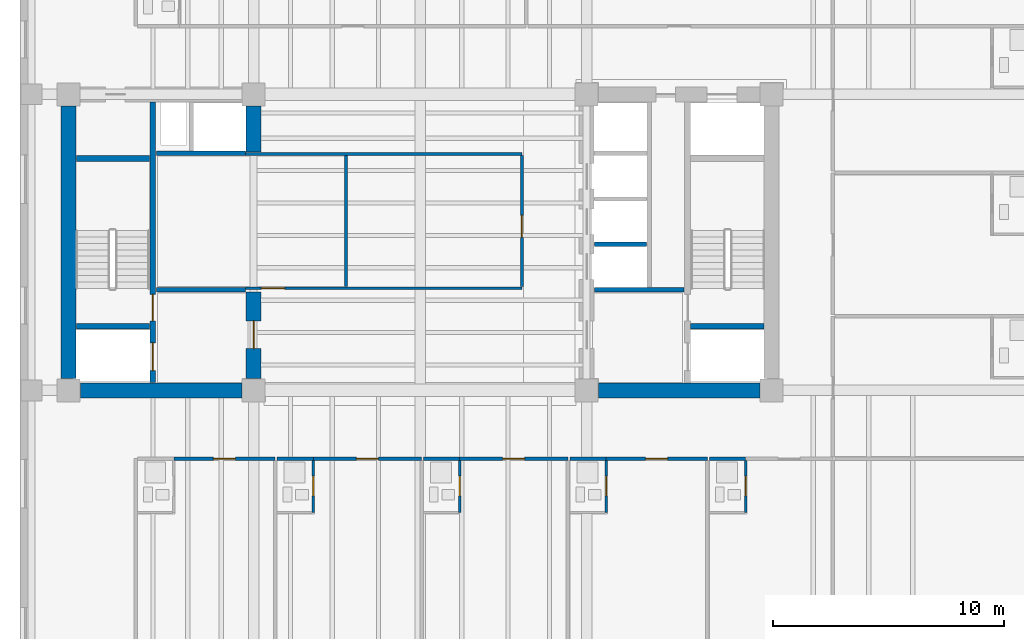
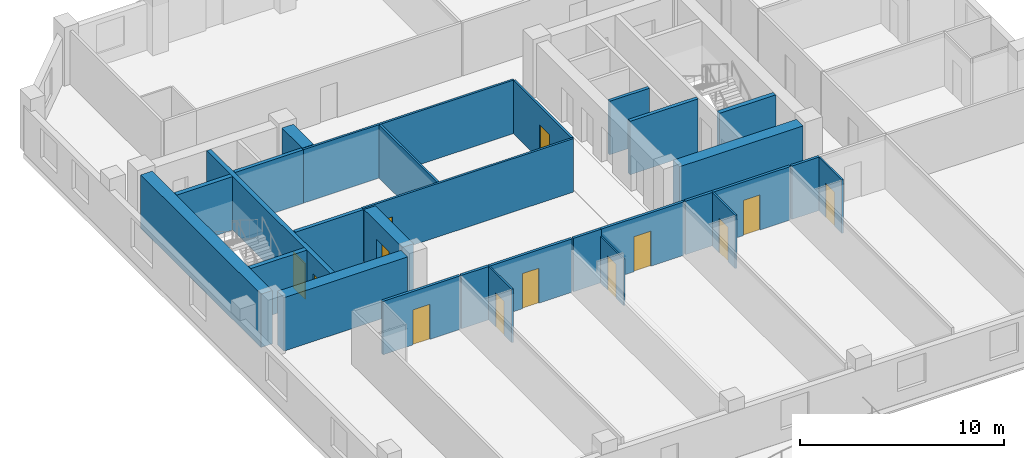
# One storey, part 3 of 10: 29 walls, 13 doors, 13 openings.
"""IFC4 building model written with IfcOpenShell, lengths in metres."""

from ifc_helpers import new_model, si_unit, direction, frame, frame_2d, origin, place, context, subcontext, project, spatial, rectangle, extrude, material, layer, layer_set, type_object, element, fill, save


model = new_model("IFC4")

# Units and contexts
model_context = context("Model", 3, precision=1e-05, world=origin(), true_north=direction((0.0, 1.0)))
body_context = subcontext(model_context, "Body", "Model", "MODEL_VIEW")
ifc_project = project(units=[si_unit("LENGTHUNIT", "METRE"), si_unit("AREAUNIT", "SQUARE_METRE"), si_unit("VOLUMEUNIT", "CUBIC_METRE"), si_unit("PLANEANGLEUNIT", "RADIAN"), si_unit("MASSUNIT", "GRAM", prefix="KILO")], contexts=[model_context])

# Site, building, storey
site_placement = place(None, origin())
site = spatial("IfcSite", under=ifc_project, at=site_placement, CompositionType="ELEMENT")
building_placement = place(site_placement, origin())
building = spatial("IfcBuilding", under=site, at=building_placement, Name="Kranthara Brick Stack", CompositionType="ELEMENT")
storey_placement = place(building_placement, frame((0.0, 0.0, 155.300048828125)))
storey = spatial("IfcBuildingStorey", under=building, at=storey_placement, Name="L39", CompositionType="ELEMENT", Elevation=155.300048828125)

# Wall, openings, doors
ifc_material_1 = material(Name="Concrete C50/60", Category="concrete")
ifc_layer_1 = layer(ifc_material_1, 0.25)
ifc_layer_set_1 = layer_set([ifc_layer_1], Name="Concrete C50/60")
wall_type_1 = type_object("IfcWallType", Name="WL-CORE-250", PredefinedType="SHEAR", material=ifc_layer_set_1)
wall_1_placement = place(storey_placement, frame((16.43505859375, 21.135009765625, 0.0), z_axis=(0.0, 0.0, 1.0), x_axis=(0.0, 1.0, 0.0)))
wall_1 = element("IfcWall", 1, at=wall_1_placement, inside=storey, type_object=wall_type_1, Name="L39 West Core Stair Bearing Spine Wall", PredefinedType="SHEAR", context=body_context, shape_type="SweptSolid", body=[
    extrude(rectangle(XDim=12.1298828125, YDim=0.25, at=frame_2d((6.06494140625, 0.0))), origin(), (0.0, 0.0, 1.0), 3.199951171875),
])
opening_1_placement = place(wall_1_placement, frame((0.514892578125, 0.0, 0.0)))
opening_1 = element("IfcOpeningElement", 2, at=opening_1_placement, cuts=wall_1, Name="Opening LD01", PredefinedType="OPENING", context=body_context, shape_type="SweptSolid", body=[
    extrude(rectangle(XDim=1.199951171875, YDim=2.14990234375, at=frame_2d((0.60009765625, 1.074951171875))), frame((0.0, 0.135009765625, 0.0), z_axis=(0.0, -1.0, 0.0), x_axis=(1.0, 0.0, 0.0)), (0.0, 0.0, 1.0), 0.27001953125),
])
opening_2_placement = place(wall_1_placement, frame((2.6650390625, 0.0, 0.0)))
opening_2 = element("IfcOpeningElement", 3, at=opening_2_placement, cuts=wall_1, Name="Opening D05", PredefinedType="OPENING", context=body_context, shape_type="SweptSolid", body=[
    extrude(rectangle(XDim=1.14990234375, YDim=2.14990234375, at=frame_2d((0.574951171875, 1.074951171875))), frame((0.0, 0.135009765625, 0.0), z_axis=(0.0, -1.0, 0.0), x_axis=(1.0, 0.0, 0.0)), (0.0, 0.0, 1.0), 0.27001953125),
])
ifc_material_2 = material(Name="Stainless steel sliding landing door", Category="steel")
door_type_1 = type_object("IfcDoorType", Name="DR-LD-FF1200", OperationType="DOUBLE_DOOR_SLIDING", PredefinedType="DOOR", material=ifc_material_2)
door_1_placement = place(opening_1_placement, origin())
door_1 = element("IfcDoor", 4, at=door_1_placement, inside=storey, type_object=door_type_1, Name="L39 Firefighting Lift FF-01 Landing Door", OperationType="DOUBLE_DOOR_SLIDING", OverallHeight=2.14990234375, OverallWidth=1.199951171875, PredefinedType="DOOR", context=body_context, shape_type="SweptSolid", body=[
    extrude(rectangle(XDim=1.199951171875, YDim=2.14990234375, at=frame_2d((0.60009765625, 1.074951171875))), frame((0.0, 0.02490234375, 0.0), z_axis=(0.0, -1.0, 0.0), x_axis=(1.0, 0.0, 0.0)), (0.0, 0.0, 1.0), 0.050048828125),
])
fill(opening_1, door_1)
ifc_material_3 = material(Name="Solid-core hardwood timber leaf in steel frame", Category="steel")
door_type_2 = type_object("IfcDoorType", Name="DR-ST-1150", OperationType="NOTDEFINED", PredefinedType="DOOR", material=ifc_material_3)
door_2_placement = place(opening_2_placement, origin())
door_2 = element("IfcDoor", 5, at=door_2_placement, inside=storey, type_object=door_type_2, Name="L39 Exit Stair ST01 Door", OperationType="SINGLE_SWING_RIGHT", OverallHeight=2.14990234375, OverallWidth=1.14990234375, PredefinedType="DOOR", context=body_context, shape_type="SweptSolid", body=[
    extrude(rectangle(XDim=1.14990234375, YDim=2.14990234375, at=frame_2d((0.574951171875, 1.074951171875))), frame((0.0, 0.02490234375, 0.0), z_axis=(0.0, -1.0, 0.0), x_axis=(1.0, 0.0, 0.0)), (0.0, 0.0, 1.0), 0.050048828125),
])
fill(opening_2, door_2)

# Walls
for number, where, z_axis, x_axis, name in (
    (6, (13.135009765625, 23.570068359375, 0.0), (0.0, 0.0, 1.0), (1.0, 0.0, 0.0), "L39 West Stairwell Bearing Wall WFF"),
    (7, (13.135009765625, 30.830078125, 0.0), (0.0, 0.0, 1.0), (1.0, 0.0, 0.0), "L39 West Stairwell Bearing Wall WST"),
    (8, (39.68994140625, 23.570068359375, 0.0), (0.0, 0.0, 1.0), (1.0, 0.0, 0.0), "L39 East Stairwell Bearing Wall EFF"),
):
    element("IfcWall", number, at=place(storey_placement, frame(where, z_axis=z_axis, x_axis=x_axis)), inside=storey, type_object=wall_type_1, Name=name, PredefinedType="SHEAR", context=body_context, shape_type="SweptSolid", body=[
        extrude(rectangle(XDim=3.175048828125, YDim=0.25, at=frame_2d((1.58740234375, 0.0))), origin(), (0.0, 0.0, 1.0), 3.199951171875),
    ])
ifc_material_4 = material(Name="Concrete C60/75", Category="concrete")
ifc_layer_2 = layer(ifc_material_4, 0.64990234375)
ifc_layer_set_2 = layer_set([ifc_layer_2], Name="Concrete C60/75")
wall_type_2 = type_object("IfcWallType", Name="WL-CORE-650", PredefinedType="SHEAR", material=ifc_layer_set_2)
wall_2_placement = place(storey_placement, frame((12.800048828125, 21.304931640625, 0.0), z_axis=(0.0, 0.0, 1.0), x_axis=(0.0, 1.0, 0.0)))
element("IfcWall", 9, at=wall_2_placement, inside=storey, type_object=wall_type_2, Name="L39 West Core Shear Wall West", PredefinedType="SHEAR", context=body_context, shape_type="SweptSolid", body=[
    extrude(rectangle(XDim=11.7900390625, YDim=0.64990234375, at=frame_2d((5.89501953125, 0.0))), origin(), (0.0, 0.0, 1.0), 3.199951171875),
])
wall_3_placement = place(storey_placement, frame((13.304931640625, 20.800048828125, 0.0), z_axis=(0.0, 0.0, 1.0), x_axis=(1.0, 0.0, 0.0)))
element("IfcWall", 10, at=wall_3_placement, inside=storey, type_object=wall_type_2, Name="L39 West Core Shear Wall South", PredefinedType="SHEAR", context=body_context, shape_type="SweptSolid", body=[
    extrude(rectangle(XDim=6.989990234375, YDim=0.64990234375, at=frame_2d((3.4951171875, 0.0))), origin(), (0.0, 0.0, 1.0), 3.199951171875),
])

# Wall, opening, door
wall_4_placement = place(storey_placement, frame((20.800048828125, 21.304931640625, 0.0), z_axis=(0.0, 0.0, 1.0), x_axis=(0.0, 1.0, 0.0)))
wall_4 = element("IfcWall", 11, at=wall_4_placement, inside=storey, type_object=wall_type_2, Name="L39 West Core Lobby Shear Wall", PredefinedType="SHEAR", context=body_context, shape_type="SweptSolid", body=[
    extrude(rectangle(XDim=3.7451171875, YDim=0.64990234375, at=frame_2d((1.87255859375, 0.0))), origin(), (0.0, 0.0, 1.0), 3.199951171875),
])
opening_3_placement = place(wall_4_placement, frame((1.294921875, 0.0, 0.0)))
opening_3 = element("IfcOpeningElement", 12, at=opening_3_placement, cuts=wall_4, Name="Opening D06", PredefinedType="OPENING", context=body_context, shape_type="SweptSolid", body=[
    extrude(rectangle(XDim=1.199951171875, YDim=2.14990234375, at=frame_2d((0.60009765625, 1.074951171875))), frame((0.0, 0.3349609375, 0.0), z_axis=(0.0, -1.0, 0.0), x_axis=(1.0, 0.0, 0.0)), (0.0, 0.0, 1.0), 0.669921875),
])
ifc_material_5 = material(Name="Solid-core hardwood timber leaf in steel frame", Category="steel")
door_type_3 = type_object("IfcDoorType", Name="DR-FFL-1200", OperationType="NOTDEFINED", PredefinedType="DOOR", material=ifc_material_5)
door_3_placement = place(opening_3_placement, origin())
door_3 = element("IfcDoor", 13, at=door_3_placement, inside=storey, type_object=door_type_3, Name="L39 West Firefighting Lobby Door", OperationType="SINGLE_SWING_LEFT", OverallHeight=2.14990234375, OverallWidth=1.199951171875, PredefinedType="DOOR", context=body_context, shape_type="SweptSolid", body=[
    extrude(rectangle(XDim=1.199951171875, YDim=2.14990234375, at=frame_2d((0.60009765625, 1.074951171875))), frame((0.0, 0.02490234375, 0.0), z_axis=(0.0, -1.0, 0.0), x_axis=(1.0, 0.0, 0.0)), (0.0, 0.0, 1.0), 0.050048828125),
])
fill(opening_3, door_3)

# Walls
wall_5_placement = place(storey_placement, frame((20.800048828125, 31.10009765625, 0.0), z_axis=(0.0, 0.0, 1.0), x_axis=(0.0, 1.0, 0.0)))
element("IfcWall", 14, at=wall_5_placement, inside=storey, type_object=wall_type_2, Name="L39 West Core High-Rise Lift Wall", PredefinedType="SHEAR", context=body_context, shape_type="SweptSolid", body=[
    extrude(rectangle(XDim=1.994873046875, YDim=0.64990234375, at=frame_2d((0.99755859375, 0.0))), origin(), (0.0, 0.0, 1.0), 3.199951171875),
])
wall_6_placement = place(storey_placement, frame((35.705078125, 20.800048828125, 0.0), z_axis=(0.0, 0.0, 1.0), x_axis=(1.0, 0.0, 0.0)))
element("IfcWall", 15, at=wall_6_placement, inside=storey, type_object=wall_type_2, Name="L39 East Core Shear Wall South", PredefinedType="SHEAR", context=body_context, shape_type="SweptSolid", body=[
    extrude(rectangle(XDim=6.989990234375, YDim=0.64990234375, at=frame_2d((3.4951171875, 0.0))), origin(), (0.0, 0.0, 1.0), 3.199951171875),
])

# Wall, opening, door
ifc_material_6 = material(Name="Moisture-resistant wet-room partition", Category="other")
ifc_layer_3 = layer(ifc_material_6, 0.10009765625)
ifc_layer_set_3 = layer_set([ifc_layer_3], Name="Moisture-resistant wet-room partition")
wall_type_3 = type_object("IfcWallType", Name="WL-PART-100", PredefinedType="PARTITIONING", material=ifc_layer_set_3)
wall_7_placement = place(storey_placement, frame((23.3798828125, 15.52001953125, 0.0), z_axis=(0.0, 0.0, 1.0), x_axis=(0.0, 1.0, 0.0)))
wall_7 = element("IfcWall", 16, at=wall_7_placement, inside=storey, type_object=wall_type_3, Name="L39 Interior Partition 013", PredefinedType="PARTITIONING", context=body_context, shape_type="SweptSolid", body=[
    extrude(rectangle(XDim=2.25, YDim=0.10009765625, at=frame_2d((1.125, 0.0))), origin(), (0.0, 0.0, 1.0), 3.199951171875),
])
opening_4_placement = place(wall_7_placement, frame((0.719970703125, 0.0, 0.0)))
opening_4 = element("IfcOpeningElement", 17, at=opening_4_placement, cuts=wall_7, Name="Opening D17", PredefinedType="OPENING", context=body_context, shape_type="SweptSolid", body=[
    extrude(rectangle(XDim=0.85009765625, YDim=2.050048828125, at=frame_2d((0.425048828125, 1.02490234375))), frame((0.0, 0.06005859375, 0.0), z_axis=(0.0, -1.0, 0.0), x_axis=(1.0, 0.0, 0.0)), (0.0, 0.0, 1.0), 0.1201171875),
])
ifc_material_7 = material(Name="Solid-core hardwood timber leaf in steel frame", Category="steel")
door_type_4 = type_object("IfcDoorType", Name="DR-WET-850", OperationType="NOTDEFINED", PredefinedType="DOOR", material=ifc_material_7)
door_4_placement = place(opening_4_placement, origin())
door_4 = element("IfcDoor", 18, at=door_4_placement, inside=storey, type_object=door_type_4, Name="L39 Key 02 En-Suite Door 05", OperationType="SINGLE_SWING_LEFT", OverallHeight=2.050048828125, OverallWidth=0.85009765625, PredefinedType="DOOR", context=body_context, shape_type="SweptSolid", body=[
    extrude(rectangle(XDim=0.85009765625, YDim=2.050048828125, at=frame_2d((0.425048828125, 1.02490234375))), frame((0.0, 0.02490234375, 0.0), z_axis=(0.0, -1.0, 0.0), x_axis=(1.0, 0.0, 0.0)), (0.0, 0.0, 1.0), 0.050048828125),
])
fill(opening_4, door_4)

wall_8_placement = place(storey_placement, frame((29.7109375, 15.52001953125, 0.0), z_axis=(0.0, 0.0, 1.0), x_axis=(0.0, 1.0, 0.0)))
wall_8 = element("IfcWall", 19, at=wall_8_placement, inside=storey, type_object=wall_type_3, Name="L39 Interior Partition 018", PredefinedType="PARTITIONING", context=body_context, shape_type="SweptSolid", body=[
    extrude(rectangle(XDim=2.25, YDim=0.10009765625, at=frame_2d((1.125, 0.0))), origin(), (0.0, 0.0, 1.0), 2.784912109375),
])
opening_5_placement = place(wall_8_placement, frame((0.719970703125, 0.0, 0.0)))
opening_5 = element("IfcOpeningElement", 20, at=opening_5_placement, cuts=wall_8, Name="Opening D17", PredefinedType="OPENING", context=body_context, shape_type="SweptSolid", body=[
    extrude(rectangle(XDim=0.85009765625, YDim=2.050048828125, at=frame_2d((0.425048828125, 1.02490234375))), frame((0.0, 0.06005859375, 0.0), z_axis=(0.0, -1.0, 0.0), x_axis=(1.0, 0.0, 0.0)), (0.0, 0.0, 1.0), 0.1201171875),
])
door_5_placement = place(opening_5_placement, origin())
door_5 = element("IfcDoor", 21, at=door_5_placement, inside=storey, type_object=door_type_4, Name="L39 Key 03 En-Suite Door 07", OperationType="SINGLE_SWING_LEFT", OverallHeight=2.050048828125, OverallWidth=0.85009765625, PredefinedType="DOOR", context=body_context, shape_type="SweptSolid", body=[
    extrude(rectangle(XDim=0.85009765625, YDim=2.050048828125, at=frame_2d((0.425048828125, 1.02490234375))), frame((0.0, 0.02490234375, 0.0), z_axis=(0.0, -1.0, 0.0), x_axis=(1.0, 0.0, 0.0)), (0.0, 0.0, 1.0), 0.050048828125),
])
fill(opening_5, door_5)

wall_9_placement = place(storey_placement, frame((36.04296875, 15.52001953125, 0.0), z_axis=(0.0, 0.0, 1.0), x_axis=(0.0, 1.0, 0.0)))
wall_9 = element("IfcWall", 22, at=wall_9_placement, inside=storey, type_object=wall_type_3, Name="L39 Interior Partition 023", PredefinedType="PARTITIONING", context=body_context, shape_type="SweptSolid", body=[
    extrude(rectangle(XDim=2.25, YDim=0.10009765625, at=frame_2d((1.125, 0.0))), origin(), (0.0, 0.0, 1.0), 3.199951171875),
])
opening_6_placement = place(wall_9_placement, frame((0.719970703125, 0.0, 0.0)))
opening_6 = element("IfcOpeningElement", 23, at=opening_6_placement, cuts=wall_9, Name="Opening D17", PredefinedType="OPENING", context=body_context, shape_type="SweptSolid", body=[
    extrude(rectangle(XDim=0.85009765625, YDim=2.050048828125, at=frame_2d((0.425048828125, 1.02490234375))), frame((0.0, 0.06005859375, 0.0), z_axis=(0.0, -1.0, 0.0), x_axis=(1.0, 0.0, 0.0)), (0.0, 0.0, 1.0), 0.1201171875),
])
door_6_placement = place(opening_6_placement, origin())
door_6 = element("IfcDoor", 24, at=door_6_placement, inside=storey, type_object=door_type_4, Name="L39 Key 04 En-Suite Door 09", OperationType="SINGLE_SWING_LEFT", OverallHeight=2.050048828125, OverallWidth=0.85009765625, PredefinedType="DOOR", context=body_context, shape_type="SweptSolid", body=[
    extrude(rectangle(XDim=0.85009765625, YDim=2.050048828125, at=frame_2d((0.425048828125, 1.02490234375))), frame((0.0, 0.02490234375, 0.0), z_axis=(0.0, -1.0, 0.0), x_axis=(1.0, 0.0, 0.0)), (0.0, 0.0, 1.0), 0.050048828125),
])
fill(opening_6, door_6)

wall_10_placement = place(storey_placement, frame((42.072998046875, 15.52001953125, 0.0), z_axis=(0.0, 0.0, 1.0), x_axis=(0.0, 1.0, 0.0)))
wall_10 = element("IfcWall", 25, at=wall_10_placement, inside=storey, type_object=wall_type_3, Name="L39 Interior Partition 028", PredefinedType="PARTITIONING", context=body_context, shape_type="SweptSolid", body=[
    extrude(rectangle(XDim=2.25, YDim=0.10009765625, at=frame_2d((1.125, 0.0))), origin(), (0.0, 0.0, 1.0), 3.199951171875),
])
opening_7_placement = place(wall_10_placement, frame((0.719970703125, 0.0, 0.0)))
opening_7 = element("IfcOpeningElement", 26, at=opening_7_placement, cuts=wall_10, Name="Opening D17", PredefinedType="OPENING", context=body_context, shape_type="SweptSolid", body=[
    extrude(rectangle(XDim=0.85009765625, YDim=2.050048828125, at=frame_2d((0.425048828125, 1.02490234375))), frame((0.0, 0.06005859375, 0.0), z_axis=(0.0, -1.0, 0.0), x_axis=(1.0, 0.0, 0.0)), (0.0, 0.0, 1.0), 0.1201171875),
])
door_7_placement = place(opening_7_placement, origin())
door_7 = element("IfcDoor", 27, at=door_7_placement, inside=storey, type_object=door_type_4, Name="L39 Key 05 En-Suite Door 11", OperationType="SINGLE_SWING_LEFT", OverallHeight=2.050048828125, OverallWidth=0.85009765625, PredefinedType="DOOR", context=body_context, shape_type="SweptSolid", body=[
    extrude(rectangle(XDim=0.85009765625, YDim=2.050048828125, at=frame_2d((0.425048828125, 1.02490234375))), frame((0.0, 0.02490234375, 0.0), z_axis=(0.0, -1.0, 0.0), x_axis=(1.0, 0.0, 0.0)), (0.0, 0.0, 1.0), 0.050048828125),
])
fill(opening_7, door_7)

ifc_material_8 = material(Name="Acoustic gypsum plasterboard partition", Category="other")
ifc_layer_4 = layer(ifc_material_8, 0.1201171875)
ifc_layer_set_4 = layer_set([ifc_layer_4], Name="Acoustic gypsum plasterboard partition")
wall_type_4 = type_object("IfcWallType", Name="WL-PART-120", PredefinedType="PARTITIONING", material=ifc_layer_set_4)
wall_11_placement = place(storey_placement, frame((20.4599609375, 25.219970703125, 0.0), z_axis=(0.0, 0.0, 1.0), x_axis=(1.0, 0.0, 0.0)))
wall_11 = element("IfcWall", 28, at=wall_11_placement, inside=storey, type_object=wall_type_4, Name="L39 Interior Partition 001", PredefinedType="PARTITIONING", context=body_context, shape_type="SweptSolid", body=[
    extrude(rectangle(XDim=11.93994140625, YDim=0.1201171875, at=frame_2d((5.969970703125, 0.0))), origin(), (0.0, 0.0, 1.0), 3.199951171875),
])
opening_8_placement = place(wall_11_placement, frame((0.679931640625, 0.0, 0.0)))
opening_8 = element("IfcOpeningElement", 29, at=opening_8_placement, cuts=wall_11, Name="Opening D13", PredefinedType="OPENING", context=body_context, shape_type="SweptSolid", body=[
    extrude(rectangle(XDim=1.0, YDim=2.10009765625, at=frame_2d((0.5, 1.050048828125))), frame((0.0, 0.070068359375, 0.0), z_axis=(0.0, -1.0, 0.0), x_axis=(1.0, 0.0, 0.0)), (0.0, 0.0, 1.0), 0.14013671875),
])
ifc_material_9 = material(Name="Solid-core hardwood timber leaf in steel frame", Category="steel")
door_type_5 = type_object("IfcDoorType", Name="DR-INT-1000", OperationType="NOTDEFINED", PredefinedType="DOOR", material=ifc_material_9)
door_8_placement = place(opening_8_placement, origin())
door_8 = element("IfcDoor", 30, at=door_8_placement, inside=storey, type_object=door_type_5, Name="L39 Hotel Club Lounge Door 01", OperationType="SINGLE_SWING_LEFT", OverallHeight=2.10009765625, OverallWidth=1.0, PredefinedType="DOOR", context=body_context, shape_type="SweptSolid", body=[
    extrude(rectangle(XDim=1.0, YDim=2.10009765625, at=frame_2d((0.5, 1.050048828125))), frame((0.0, 0.02490234375, 0.0), z_axis=(0.0, -1.0, 0.0), x_axis=(1.0, 0.0, 0.0)), (0.0, 0.0, 1.0), 0.050048828125),
])
fill(opening_8, door_8)

# Wall
wall_12_placement = place(storey_placement, frame((20.4599609375, 31.02001953125, 0.0), z_axis=(0.0, 0.0, 1.0), x_axis=(1.0, 0.0, 0.0)))
element("IfcWall", 31, at=wall_12_placement, inside=storey, type_object=wall_type_4, Name="L39 Interior Partition 002", PredefinedType="PARTITIONING", context=body_context, shape_type="SweptSolid", body=[
    extrude(rectangle(XDim=11.93994140625, YDim=0.1201171875, at=frame_2d((5.969970703125, 0.0))), origin(), (0.0, 0.0, 1.0), 3.199951171875),
])

# Wall, opening, door
wall_13_placement = place(storey_placement, frame((32.39990234375, 25.284912109375, 0.0), z_axis=(0.0, 0.0, 1.0), x_axis=(0.0, 1.0, 0.0)))
wall_13 = element("IfcWall", 32, at=wall_13_placement, inside=storey, type_object=wall_type_4, Name="L39 Interior Partition 003", PredefinedType="PARTITIONING", context=body_context, shape_type="SweptSolid", body=[
    extrude(rectangle(XDim=5.670166015625, YDim=0.1201171875, at=frame_2d((2.8349609375, 0.0))), origin(), (0.0, 0.0, 1.0), 3.199951171875),
])
opening_9_placement = place(wall_13_placement, frame((2.135009765625, 0.0, 0.0)))
opening_9 = element("IfcOpeningElement", 33, at=opening_9_placement, cuts=wall_13, Name="Opening D14", PredefinedType="OPENING", context=body_context, shape_type="SweptSolid", body=[
    extrude(rectangle(XDim=0.949951171875, YDim=2.10009765625, at=frame_2d((0.47509765625, 1.050048828125))), frame((0.0, 0.070068359375, 0.0), z_axis=(0.0, -1.0, 0.0), x_axis=(1.0, 0.0, 0.0)), (0.0, 0.0, 1.0), 0.14013671875),
])
ifc_material_10 = material(Name="Solid-core hardwood timber leaf in steel frame", Category="steel")
door_type_6 = type_object("IfcDoorType", Name="DR-INT-950", OperationType="NOTDEFINED", PredefinedType="DOOR", material=ifc_material_10)
door_9_placement = place(opening_9_placement, origin())
door_9 = element("IfcDoor", 34, at=door_9_placement, inside=storey, type_object=door_type_6, Name="L39 Housekeeping Linen Door 02", OperationType="SINGLE_SWING_RIGHT", OverallHeight=2.10009765625, OverallWidth=0.949951171875, PredefinedType="DOOR", context=body_context, shape_type="SweptSolid", body=[
    extrude(rectangle(XDim=0.949951171875, YDim=2.10009765625, at=frame_2d((0.47509765625, 1.050048828125))), frame((0.0, 0.02490234375, 0.0), z_axis=(0.0, -1.0, 0.0), x_axis=(1.0, 0.0, 0.0)), (0.0, 0.0, 1.0), 0.050048828125),
])
fill(opening_9, door_9)

# Wall
wall_14_placement = place(storey_placement, frame((24.800048828125, 25.284912109375, 0.0), z_axis=(0.0, 0.0, 1.0), x_axis=(0.0, 1.0, 0.0)))
element("IfcWall", 35, at=wall_14_placement, inside=storey, type_object=wall_type_4, Name="L39 Interior Partition 004", PredefinedType="PARTITIONING", context=body_context, shape_type="SweptSolid", body=[
    extrude(rectangle(XDim=5.670166015625, YDim=0.1201171875, at=frame_2d((2.8349609375, 0.0))), origin(), (0.0, 0.0, 1.0), 3.199951171875),
])

# Wall, opening, door
ifc_material_11 = material(Name="Fire-rated gypsum board partition", Category="other")
ifc_layer_5 = layer(ifc_material_11, 0.14990234375)
ifc_layer_set_5 = layer_set([ifc_layer_5], Name="Fire-rated gypsum board partition")
wall_type_5 = type_object("IfcWallType", Name="WL-PART-150", PredefinedType="PARTITIONING", material=ifc_layer_set_5)
wall_15_placement = place(storey_placement, frame((17.35009765625, 17.85009765625, 0.0), z_axis=(0.0, 0.0, 1.0), x_axis=(1.0, 0.0, 0.0)))
wall_15 = element("IfcWall", 36, at=wall_15_placement, inside=storey, type_object=wall_type_5, Name="L39 Interior Partition 007", PredefinedType="PARTITIONING", context=body_context, shape_type="SweptSolid", body=[
    extrude(rectangle(XDim=4.3798828125, YDim=0.14990234375, at=frame_2d((2.18994140625, 0.0))), origin(), (0.0, 0.0, 1.0), 3.199951171875),
])
opening_10_placement = place(wall_15_placement, frame((1.7099609375, 0.0, 0.0)))
opening_10 = element("IfcOpeningElement", 37, at=opening_10_placement, cuts=wall_15, Name="Opening D09", PredefinedType="OPENING", context=body_context, shape_type="SweptSolid", body=[
    extrude(rectangle(XDim=0.949951171875, YDim=2.10009765625, at=frame_2d((0.47509765625, 1.050048828125))), frame((0.0, 0.0849609375, 0.0), z_axis=(0.0, -1.0, 0.0), x_axis=(1.0, 0.0, 0.0)), (0.0, 0.0, 1.0), 0.169921875),
])
ifc_material_12 = material(Name="Solid-core hardwood timber leaf in steel frame", Category="steel")
door_type_7 = type_object("IfcDoorType", Name="DR-FD-950", OperationType="NOTDEFINED", PredefinedType="DOOR", material=ifc_material_12)
door_10_placement = place(opening_10_placement, origin())
door_10 = element("IfcDoor", 38, at=door_10_placement, inside=storey, type_object=door_type_7, Name="L39 Key 01 Entry 04", OperationType="SINGLE_SWING_RIGHT", OverallHeight=2.10009765625, OverallWidth=0.949951171875, PredefinedType="DOOR", context=body_context, shape_type="SweptSolid", body=[
    extrude(rectangle(XDim=0.949951171875, YDim=2.10009765625, at=frame_2d((0.47509765625, 1.050048828125))), frame((0.0, 0.02490234375, 0.0), z_axis=(0.0, -1.0, 0.0), x_axis=(1.0, 0.0, 0.0)), (0.0, 0.0, 1.0), 0.050048828125),
])
fill(opening_10, door_10)

# Wall
wall_16_placement = place(storey_placement, frame((21.81005859375, 17.85009765625, 0.0), z_axis=(0.0, 0.0, 1.0), x_axis=(1.0, 0.0, 0.0)))
element("IfcWall", 39, at=wall_16_placement, inside=storey, type_object=wall_type_5, Name="L39 Interior Partition 011", PredefinedType="PARTITIONING", context=body_context, shape_type="SweptSolid", body=[
    extrude(rectangle(XDim=1.56982421875, YDim=0.14990234375, at=frame_2d((0.784912109375, 0.0))), origin(), (0.0, 0.0, 1.0), 3.199951171875),
])

# Wall, opening, door
wall_17_placement = place(storey_placement, frame((23.3798828125, 17.85009765625, 0.0), z_axis=(0.0, 0.0, 1.0), x_axis=(1.0, 0.0, 0.0)))
wall_17 = element("IfcWall", 40, at=wall_17_placement, inside=storey, type_object=wall_type_5, Name="L39 Interior Partition 012", PredefinedType="PARTITIONING", context=body_context, shape_type="SweptSolid", body=[
    extrude(rectangle(XDim=4.68115234375, YDim=0.14990234375, at=frame_2d((2.340576171875, 0.0))), origin(), (0.0, 0.0, 1.0), 3.199951171875),
])
opening_11_placement = place(wall_17_placement, frame((1.861083984375, 0.0, 0.0)))
opening_11 = element("IfcOpeningElement", 41, at=opening_11_placement, cuts=wall_17, Name="Opening D09", PredefinedType="OPENING", context=body_context, shape_type="SweptSolid", body=[
    extrude(rectangle(XDim=0.949951171875, YDim=2.10009765625, at=frame_2d((0.47509765625, 1.050048828125))), frame((0.0, 0.0849609375, 0.0), z_axis=(0.0, -1.0, 0.0), x_axis=(1.0, 0.0, 0.0)), (0.0, 0.0, 1.0), 0.169921875),
])
door_11_placement = place(opening_11_placement, origin())
door_11 = element("IfcDoor", 42, at=door_11_placement, inside=storey, type_object=door_type_7, Name="L39 Key 02 Entry 06", OperationType="SINGLE_SWING_RIGHT", OverallHeight=2.10009765625, OverallWidth=0.949951171875, PredefinedType="DOOR", context=body_context, shape_type="SweptSolid", body=[
    extrude(rectangle(XDim=0.949951171875, YDim=2.10009765625, at=frame_2d((0.47509765625, 1.050048828125))), frame((0.0, 0.02490234375, 0.0), z_axis=(0.0, -1.0, 0.0), x_axis=(1.0, 0.0, 0.0)), (0.0, 0.0, 1.0), 0.050048828125),
])
fill(opening_11, door_11)

# Wall
wall_18_placement = place(storey_placement, frame((28.14111328125, 17.85009765625, 0.0), z_axis=(0.0, 0.0, 1.0), x_axis=(1.0, 0.0, 0.0)))
element("IfcWall", 43, at=wall_18_placement, inside=storey, type_object=wall_type_5, Name="L39 Interior Partition 016", PredefinedType="PARTITIONING", context=body_context, shape_type="SweptSolid", body=[
    extrude(rectangle(XDim=1.56982421875, YDim=0.14990234375, at=frame_2d((0.784912109375, 0.0))), origin(), (0.0, 0.0, 1.0), 3.199951171875),
])

# Wall, opening, door
wall_19_placement = place(storey_placement, frame((29.7109375, 17.85009765625, 0.0), z_axis=(0.0, 0.0, 1.0), x_axis=(1.0, 0.0, 0.0)))
wall_19 = element("IfcWall", 44, at=wall_19_placement, inside=storey, type_object=wall_type_5, Name="L39 Interior Partition 017", PredefinedType="PARTITIONING", context=body_context, shape_type="SweptSolid", body=[
    extrude(rectangle(XDim=4.68212890625, YDim=0.14990234375, at=frame_2d((2.341064453125, 0.0))), origin(), (0.0, 0.0, 1.0), 3.199951171875),
])
opening_12_placement = place(wall_19_placement, frame((1.861083984375, 0.0, 0.0)))
opening_12 = element("IfcOpeningElement", 45, at=opening_12_placement, cuts=wall_19, Name="Opening D09", PredefinedType="OPENING", context=body_context, shape_type="SweptSolid", body=[
    extrude(rectangle(XDim=0.949951171875, YDim=2.10009765625, at=frame_2d((0.47509765625, 1.050048828125))), frame((0.0, 0.0849609375, 0.0), z_axis=(0.0, -1.0, 0.0), x_axis=(1.0, 0.0, 0.0)), (0.0, 0.0, 1.0), 0.169921875),
])
door_12_placement = place(opening_12_placement, origin())
door_12 = element("IfcDoor", 46, at=door_12_placement, inside=storey, type_object=door_type_7, Name="L39 Key 03 Entry 08", OperationType="SINGLE_SWING_RIGHT", OverallHeight=2.10009765625, OverallWidth=0.949951171875, PredefinedType="DOOR", context=body_context, shape_type="SweptSolid", body=[
    extrude(rectangle(XDim=0.949951171875, YDim=2.10009765625, at=frame_2d((0.47509765625, 1.050048828125))), frame((0.0, 0.02490234375, 0.0), z_axis=(0.0, -1.0, 0.0), x_axis=(1.0, 0.0, 0.0)), (0.0, 0.0, 1.0), 0.050048828125),
])
fill(opening_12, door_12)

# Wall
wall_20_placement = place(storey_placement, frame((34.472900390625, 17.85009765625, 0.0), z_axis=(0.0, 0.0, 1.0), x_axis=(1.0, 0.0, 0.0)))
element("IfcWall", 47, at=wall_20_placement, inside=storey, type_object=wall_type_5, Name="L39 Interior Partition 021", PredefinedType="PARTITIONING", context=body_context, shape_type="SweptSolid", body=[
    extrude(rectangle(XDim=1.570068359375, YDim=0.14990234375, at=frame_2d((0.78515625, 0.0))), origin(), (0.0, 0.0, 1.0), 3.199951171875),
])

# Wall, opening, door
wall_21_placement = place(storey_placement, frame((36.04296875, 17.85009765625, 0.0), z_axis=(0.0, 0.0, 1.0), x_axis=(1.0, 0.0, 0.0)))
wall_21 = element("IfcWall", 48, at=wall_21_placement, inside=storey, type_object=wall_type_5, Name="L39 Interior Partition 022", PredefinedType="PARTITIONING", context=body_context, shape_type="SweptSolid", body=[
    extrude(rectangle(XDim=4.380126953125, YDim=0.14990234375, at=frame_2d((2.18994140625, 0.0))), origin(), (0.0, 0.0, 1.0), 3.199951171875),
])
opening_13_placement = place(wall_21_placement, frame((1.7099609375, 0.0, 0.0)))
opening_13 = element("IfcOpeningElement", 49, at=opening_13_placement, cuts=wall_21, Name="Opening D09", PredefinedType="OPENING", context=body_context, shape_type="SweptSolid", body=[
    extrude(rectangle(XDim=0.949951171875, YDim=2.10009765625, at=frame_2d((0.47509765625, 1.050048828125))), frame((0.0, 0.0849609375, 0.0), z_axis=(0.0, -1.0, 0.0), x_axis=(1.0, 0.0, 0.0)), (0.0, 0.0, 1.0), 0.169921875),
])
door_13_placement = place(opening_13_placement, origin())
door_13 = element("IfcDoor", 50, at=door_13_placement, inside=storey, type_object=door_type_7, Name="L39 Key 04 Entry 10", OperationType="SINGLE_SWING_RIGHT", OverallHeight=2.10009765625, OverallWidth=0.949951171875, PredefinedType="DOOR", context=body_context, shape_type="SweptSolid", body=[
    extrude(rectangle(XDim=0.949951171875, YDim=2.10009765625, at=frame_2d((0.47509765625, 1.050048828125))), frame((0.0, 0.02490234375, 0.0), z_axis=(0.0, -1.0, 0.0), x_axis=(1.0, 0.0, 0.0)), (0.0, 0.0, 1.0), 0.050048828125),
])
fill(opening_13, door_13)

# Walls
wall_22_placement = place(storey_placement, frame((40.5029296875, 17.85009765625, 0.0), z_axis=(0.0, 0.0, 1.0), x_axis=(1.0, 0.0, 0.0)))
element("IfcWall", 51, at=wall_22_placement, inside=storey, type_object=wall_type_5, Name="L39 Interior Partition 026", PredefinedType="PARTITIONING", context=body_context, shape_type="SweptSolid", body=[
    extrude(rectangle(XDim=1.570068359375, YDim=0.14990234375, at=frame_2d((0.78515625, 0.0))), origin(), (0.0, 0.0, 1.0), 3.199951171875),
])
ifc_material_13 = material(Name="Gypsum plasterboard on acoustic twin stud", Category="other")
ifc_layer_6 = layer(ifc_material_13, 0.179931640625)
ifc_layer_set_6 = layer_set([ifc_layer_6], Name="Gypsum plasterboard on acoustic twin stud")
wall_type_6 = type_object("IfcWallType", Name="WL-PART-180", PredefinedType="PARTITIONING", material=ifc_layer_set_6)
wall_23_placement = place(storey_placement, frame((35.534912109375, 27.1201171875, 0.0), z_axis=(0.0, 0.0, 1.0), x_axis=(1.0, 0.0, 0.0)))
element("IfcWall", 52, at=wall_23_placement, inside=storey, type_object=wall_type_6, Name="L39 East Hoistway Wall EH1", PredefinedType="PARTITIONING", context=body_context, shape_type="SweptSolid", body=[
    extrude(rectangle(XDim=2.2451171875, YDim=0.179931640625, at=frame_2d((1.12255859375, 0.0))), origin(), (0.0, 0.0, 1.0), 3.199951171875),
])
ifc_material_14 = material(Name="Concrete C40/50", Category="concrete")
ifc_layer_7 = layer(ifc_material_14, 0.199951171875)
ifc_layer_set_7 = layer_set([ifc_layer_7], Name="Concrete C40/50")
wall_type_7 = type_object("IfcWallType", Name="WL-PART-200", PredefinedType="SOLIDWALL", material=ifc_layer_set_7)
for number, where, z_axis, x_axis, name in (
    (53, (16.60009765625, 25.14990234375, 0.0), (0.0, 0.0, 1.0), (1.0, 0.0, 0.0), "L39 West Core Cross Wall WFL"),
    (54, (16.60009765625, 31.050048828125, 0.0), (0.0, 0.0, 1.0), (1.0, 0.0, 0.0), "L39 West Core Cross Wall WH4"),
):
    element("IfcWall", number, at=place(storey_placement, frame(where, z_axis=z_axis, x_axis=x_axis)), inside=storey, type_object=wall_type_7, Name=name, PredefinedType="SOLIDWALL", context=body_context, shape_type="SweptSolid", body=[
        extrude(rectangle(XDim=3.849853515625, YDim=0.199951171875, at=frame_2d((1.9248046875, 0.0))), origin(), (0.0, 0.0, 1.0), 3.199951171875),
    ])
wall_24_placement = place(storey_placement, frame((35.534912109375, 25.14990234375, 0.0), z_axis=(0.0, 0.0, 1.0), x_axis=(1.0, 0.0, 0.0)))
element("IfcWall", 55, at=wall_24_placement, inside=storey, type_object=wall_type_7, Name="L39 East Core Cross Wall EFL", PredefinedType="SOLIDWALL", context=body_context, shape_type="SweptSolid", body=[
    extrude(rectangle(XDim=3.864990234375, YDim=0.199951171875, at=frame_2d((1.9326171875, 0.0))), origin(), (0.0, 0.0, 1.0), 3.199951171875),
])

save(model, "model.ifc")
